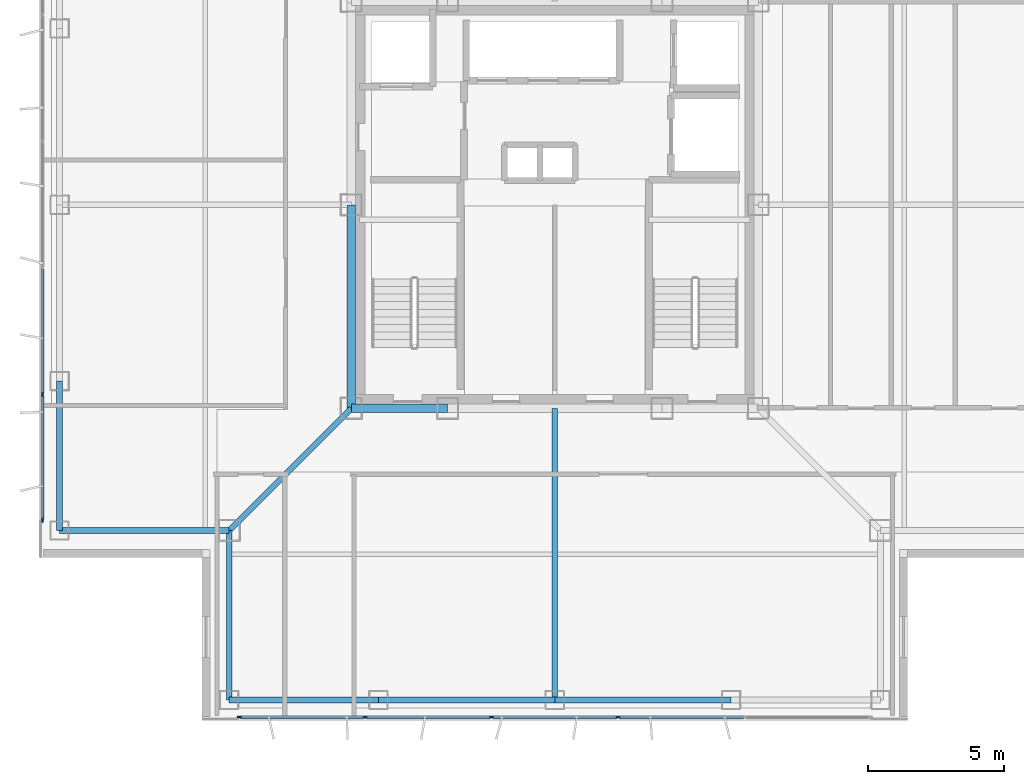
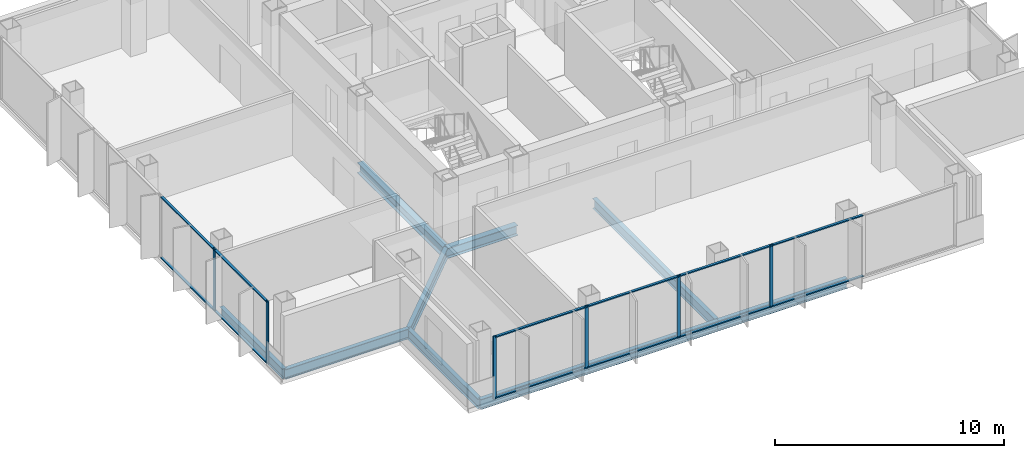
# One storey, part 2 of 15: 18 members, 10 beams, 2 elements without a shape of their own.
"""IFC4 building model written with IfcOpenShell, lengths in metres."""

from ifc_helpers import new_model, si_unit, direction, frame, origin, origin_2d, place, context, subcontext, project, spatial, rectangle, i_section, extrude, material, layer, layer_set, material_profile, profile_set, type_object, element, aggregate, save


model = new_model("IFC4")

# Units and contexts
model_context = context("Model", 3, precision=1e-05, world=origin(), true_north=direction((0.0, 1.0)))
body_context = subcontext(model_context, "Body", "Model", "MODEL_VIEW")
ifc_project = project(units=[si_unit("LENGTHUNIT", "METRE"), si_unit("AREAUNIT", "SQUARE_METRE"), si_unit("VOLUMEUNIT", "CUBIC_METRE"), si_unit("PLANEANGLEUNIT", "RADIAN"), si_unit("MASSUNIT", "GRAM", prefix="KILO")], contexts=[model_context])

# Site, building, storey
site_placement = place(None, origin())
site = spatial("IfcSite", under=ifc_project, at=site_placement, CompositionType="ELEMENT")
building_placement = place(site_placement, origin())
building = spatial("IfcBuilding", under=site, at=building_placement, Name="Trevonay Congress Spire", CompositionType="ELEMENT")
storey_placement = place(building_placement, frame((0.0, 0.0, 261.199951171875)))
storey = spatial("IfcBuildingStorey", under=building, at=storey_placement, Name="L68", CompositionType="ELEMENT", Elevation=261.199951171875)

# Beams
ifc_material_1 = material(Name="Steel ASTM A572 Grade 50", Category="steel")
ifc_material_profile_1 = material_profile(ifc_material_1, i_section(OverallWidth=0.2119140625, OverallDepth=0.5439453125, WebThickness=0.01318359375, FlangeThickness=0.021240234375, FilletRadius=0.014892578125, at=origin_2d()), Name="W530x123")
ifc_profile_set_1 = profile_set([ifc_material_profile_1], Name="Steel ASTM A572 Grade 50")
beam_type_1 = type_object("IfcBeamType", Name="BM-GIRD-W530X123", PredefinedType="BEAM", material=ifc_profile_set_1)
beam_1_placement = place(storey_placement, frame((-7.5, -7.5, -0.511962890625), z_axis=(-0.707106781187, -0.707106781187, 0.0), x_axis=(0.707106781187, -0.707106781187, 0.0)))
element("IfcBeam", 1, at=beam_1_placement, inside=storey, type_object=beam_type_1, Name="L68 structural beam BM-L68-CDSW", PredefinedType="BEAM", context=body_context, shape_type="SweptSolid", body=[
    extrude(i_section(OverallWidth=0.2119140625, OverallDepth=0.5439453125, WebThickness=0.01318359375, FlangeThickness=0.021240234375, FilletRadius=0.014892578125, at=origin_2d()), origin(), (0.0, 0.0, 1.0), 6.364013671875),
])
beam_2_placement = place(storey_placement, frame((0.0, -7.5, -0.511962890625), z_axis=(0.0, -1.0, 0.0), x_axis=(1.0, 0.0, 0.0)))
element("IfcBeam", 2, at=beam_2_placement, inside=storey, type_object=beam_type_1, Name="L68 structural beam BM-L68-GC-S", PredefinedType="BEAM", context=body_context, shape_type="SweptSolid", body=[
    extrude(i_section(OverallWidth=0.2119140625, OverallDepth=0.5439453125, WebThickness=0.01318359375, FlangeThickness=0.021240234375, FilletRadius=0.014892578125, at=origin_2d()), origin(), (0.0, 0.0, 1.0), 10.75),
])
ifc_material_profile_2 = material_profile(ifc_material_1, i_section(OverallWidth=0.31201171875, OverallDepth=0.54296875, WebThickness=0.0126953125, FlangeThickness=0.020263671875, FilletRadius=0.014892578125, at=origin_2d()), Name="W530x150")
ifc_profile_set_2 = profile_set([ifc_material_profile_2], Name="Steel ASTM A572 Grade 50")
beam_type_2 = type_object("IfcBeamType", Name="BM-GIRD-W530X150", PredefinedType="BEAM", material=ifc_profile_set_2)
beam_3_placement = place(storey_placement, frame((-7.5, -7.5, -0.511474609375), z_axis=(1.0, 0.0, 0.0), x_axis=(0.0, 1.0, 0.0)))
element("IfcBeam", 3, at=beam_3_placement, inside=storey, type_object=beam_type_2, Name="L68 structural beam BM-L68-CR-S1", PredefinedType="BEAM", context=body_context, shape_type="SweptSolid", body=[
    extrude(i_section(OverallWidth=0.31201171875, OverallDepth=0.54296875, WebThickness=0.0126953125, FlangeThickness=0.020263671875, FilletRadius=0.014892578125, at=origin_2d()), origin(), (0.0, 0.0, 1.0), 3.550048828125),
])
beam_4_placement = place(storey_placement, frame((-7.5, -7.5, -0.511474609375), z_axis=(0.0, 1.0, 0.0), x_axis=(-1.0, 0.0, 0.0)))
element("IfcBeam", 4, at=beam_4_placement, inside=storey, type_object=beam_type_2, Name="L68 structural beam BM-L68-CR-W1", PredefinedType="BEAM", context=body_context, shape_type="SweptSolid", body=[
    extrude(i_section(OverallWidth=0.31201171875, OverallDepth=0.54296875, WebThickness=0.0126953125, FlangeThickness=0.020263671875, FilletRadius=0.014892578125, at=origin_2d()), origin(), (0.0, 0.0, 1.0), 7.5),
])
ifc_material_profile_3 = material_profile(ifc_material_1, i_section(OverallWidth=0.208984375, OverallDepth=0.532958984375, WebThickness=0.01025390625, FlangeThickness=0.015625, FilletRadius=0.014892578125, at=origin_2d()), Name="W530x92")
ifc_profile_set_3 = profile_set([ifc_material_profile_3], Name="Steel ASTM A572 Grade 50")
beam_type_3 = type_object("IfcBeamType", Name="BM-RING-W530X92", PredefinedType="BEAM", material=ifc_profile_set_3)
for number, where, z_axis, x_axis, name in (
    (5, (-12.0, -18.25, -0.50634765625), (1.0, 0.0, 0.0), (0.0, 1.0, 0.0), "L68 structural beam BM-L68-PS1"),
    (6, (-18.25, -12.0, -0.50634765625), (0.0, 1.0, 0.0), (-1.0, 0.0, 0.0), "L68 structural beam BM-L68-PW1"),
):
    element("IfcBeam", number, at=place(storey_placement, frame(where, z_axis=z_axis, x_axis=x_axis)), inside=storey, type_object=beam_type_3, Name=name, PredefinedType="BEAM", context=body_context, shape_type="SweptSolid", body=[
        extrude(i_section(OverallWidth=0.208984375, OverallDepth=0.532958984375, WebThickness=0.01025390625, FlangeThickness=0.015625, FilletRadius=0.014892578125, at=origin_2d()), origin(), (0.0, 0.0, 1.0), 5.5),
    ])
for number, where, z_axis, x_axis, name in (
    (7, (-6.5, -18.25, -0.50634765625), (1.0, 0.0, 0.0), (0.0, 1.0, 0.0), "L68 structural beam BM-L68-PS2"),
    (8, (0.0, -18.25, -0.50634765625), (1.0, 0.0, 0.0), (0.0, 1.0, 0.0), "L68 structural beam BM-L68-PS3"),
):
    element("IfcBeam", number, at=place(storey_placement, frame(where, z_axis=z_axis, x_axis=x_axis)), inside=storey, type_object=beam_type_3, Name=name, PredefinedType="BEAM", context=body_context, shape_type="SweptSolid", body=[
        extrude(i_section(OverallWidth=0.208984375, OverallDepth=0.532958984375, WebThickness=0.01025390625, FlangeThickness=0.015625, FilletRadius=0.014892578125, at=origin_2d()), origin(), (0.0, 0.0, 1.0), 6.5),
    ])
for number, where, z_axis, x_axis, name in (
    (9, (-12.0, -18.25, -0.50634765625), (0.0, 1.0, 0.0), (-1.0, 0.0, 0.0), "L68 structural beam BM-L68-N1SW"),
    (10, (-18.25, -12.0, -0.50634765625), (1.0, 0.0, 0.0), (0.0, 1.0, 0.0), "L68 structural beam BM-L68-N2SW"),
):
    element("IfcBeam", number, at=place(storey_placement, frame(where, z_axis=z_axis, x_axis=x_axis)), inside=storey, type_object=beam_type_3, Name=name, PredefinedType="BEAM", context=body_context, shape_type="SweptSolid", body=[
        extrude(i_section(OverallWidth=0.208984375, OverallDepth=0.532958984375, WebThickness=0.01025390625, FlangeThickness=0.015625, FilletRadius=0.014892578125, at=origin_2d()), origin(), (0.0, 0.0, 1.0), 6.25),
    ])

# Curtain wall, members
ifc_material_2 = material(Name="Pale Anodised Aluminium EN AW-6063-T6", Category="aluminium")
ifc_layer = layer(ifc_material_2, 0.1650390625, Name="Pale Anodised Aluminium EN AW-6063-T6")
ifc_layer_set = layer_set([ifc_layer], Name="Pale Anodised Aluminium EN AW-6063-T6")
curtain_wall_type = type_object("IfcCurtainWallType", Name="CW-SYS05-DIPLOM-PALE-METAL", PredefinedType="NOTDEFINED", material=ifc_layer_set)
curtain_wall_1_placement = place(storey_placement, origin())
curtain_wall_1 = element("IfcCurtainWall", 11, at=curtain_wall_1_placement, inside=storey, type_object=curtain_wall_type, Name="L68 S unitised curtain wall", PredefinedType="NOTDEFINED")
ifc_material_profile_4 = material_profile(ifc_material_2, rectangle(XDim=0.06005859375, YDim=0.159912109375, at=origin_2d()), Name="CW-MULLION-160-ALUMINIUM")
ifc_profile_set_4 = profile_set([ifc_material_profile_4], Name="Pale Anodised Aluminium EN AW-6063-T6")
member_type_1 = type_object("IfcMemberType", Name="CW-MULLION-160-ALUMINIUM", PredefinedType="MULLION", material=ifc_profile_set_4)
member_1_placement = place(storey_placement, frame((-11.6201171875, -18.8798828125, 0.0), z_axis=(0.0, 0.0, 1.0), x_axis=(0.0, 1.0, 0.0)))
member_1 = element("IfcMember", 12, at=member_1_placement, type_object=member_type_1, Name="CW05 mullion 1", PredefinedType="MULLION", context=body_context, shape_type="SweptSolid", body=[
    extrude(rectangle(XDim=0.06005859375, YDim=0.159912109375, at=origin_2d()), origin(), (0.0, 0.0, 1.0), 3.360107421875),
])
member_2_placement = place(storey_placement, frame((-6.989990234375, -18.8798828125, 0.0), z_axis=(0.0, 0.0, 1.0), x_axis=(0.0, 1.0, 0.0)))
member_2 = element("IfcMember", 13, at=member_2_placement, type_object=member_type_1, Name="CW05 mullion 2", PredefinedType="MULLION", context=body_context, shape_type="SweptSolid", body=[
    extrude(rectangle(XDim=0.06005859375, YDim=0.159912109375, at=origin_2d()), origin(), (0.0, 0.0, 1.0), 3.360107421875),
])
member_3_placement = place(storey_placement, frame((-2.330078125, -18.8798828125, 0.0), z_axis=(0.0, 0.0, 1.0), x_axis=(0.0, 1.0, 0.0)))
member_3 = element("IfcMember", 14, at=member_3_placement, type_object=member_type_1, Name="CW05 mullion 3", PredefinedType="MULLION", context=body_context, shape_type="SweptSolid", body=[
    extrude(rectangle(XDim=0.06005859375, YDim=0.159912109375, at=origin_2d()), origin(), (0.0, 0.0, 1.0), 3.360107421875),
])
member_4_placement = place(storey_placement, frame((2.330078125, -18.8798828125, 0.0), z_axis=(0.0, 0.0, 1.0), x_axis=(0.0, 1.0, 0.0)))
member_4 = element("IfcMember", 15, at=member_4_placement, type_object=member_type_1, Name="CW05 mullion 4", PredefinedType="MULLION", context=body_context, shape_type="SweptSolid", body=[
    extrude(rectangle(XDim=0.06005859375, YDim=0.159912109375, at=origin_2d()), origin(), (0.0, 0.0, 1.0), 3.360107421875),
])

curtain_wall_2_placement = place(storey_placement, origin())
curtain_wall_2 = element("IfcCurtainWall", 16, at=curtain_wall_2_placement, inside=storey, type_object=curtain_wall_type, Name="L68 W unitised curtain wall", PredefinedType="NOTDEFINED")
member_5_placement = place(storey_placement, frame((-18.8798828125, -11.6201171875, 0.0), z_axis=(0.0, 0.0, 1.0), x_axis=(-1.0, 0.0, 0.0)))
member_5 = element("IfcMember", 17, at=member_5_placement, type_object=member_type_1, Name="CW05 mullion 1", PredefinedType="MULLION", context=body_context, shape_type="SweptSolid", body=[
    extrude(rectangle(XDim=0.06005859375, YDim=0.159912109375, at=origin_2d()), origin(), (0.0, 0.0, 1.0), 3.360107421875),
])
member_6_placement = place(storey_placement, frame((-18.8798828125, -6.989990234375, 0.0), z_axis=(0.0, 0.0, 1.0), x_axis=(-1.0, 0.0, 0.0)))
member_6 = element("IfcMember", 18, at=member_6_placement, type_object=member_type_1, Name="CW05 mullion 2", PredefinedType="MULLION", context=body_context, shape_type="SweptSolid", body=[
    extrude(rectangle(XDim=0.06005859375, YDim=0.159912109375, at=origin_2d()), origin(), (0.0, 0.0, 1.0), 3.360107421875),
])

# Member
ifc_material_profile_5 = material_profile(ifc_material_2, rectangle(XDim=0.1201171875, YDim=0.06005859375, at=origin_2d()), Name="CW-TRANSOM-120-ALUMINIUM")
ifc_profile_set_5 = profile_set([ifc_material_profile_5], Name="Pale Anodised Aluminium EN AW-6063-T6")
member_type_2 = type_object("IfcMemberType", Name="CW-TRANSOM-120-ALUMINIUM", PredefinedType="USERDEFINED", material=ifc_profile_set_5)
member_7_placement = place(storey_placement, frame((-11.590087890625, -18.8798828125, 0.06005859375), z_axis=(1.0, 0.0, 0.0), x_axis=(0.0, 1.0, 0.0)))
member_7 = element("IfcMember", 19, at=member_7_placement, type_object=member_type_2, Name="CW05 transom 1.1", ObjectType="TRANSOM", PredefinedType="USERDEFINED", context=body_context, shape_type="SweptSolid", body=[
    extrude(rectangle(XDim=0.1201171875, YDim=0.06005859375, at=origin_2d()), origin(), (0.0, 0.0, 1.0), 4.570068359375),
])

member_8_placement = place(storey_placement, frame((-11.590087890625, -18.8798828125, 3.300048828125), z_axis=(1.0, 0.0, 0.0), x_axis=(0.0, 1.0, 0.0)))
member_8 = element("IfcMember", 20, at=member_8_placement, type_object=member_type_2, Name="CW05 transom 1.2", ObjectType="TRANSOM", PredefinedType="USERDEFINED", context=body_context, shape_type="SweptSolid", body=[
    extrude(rectangle(XDim=0.1201171875, YDim=0.06005859375, at=origin_2d()), origin(), (0.0, 0.0, 1.0), 4.570068359375),
])

member_9_placement = place(storey_placement, frame((-6.9599609375, -18.8798828125, 0.06005859375), z_axis=(1.0, 0.0, 0.0), x_axis=(0.0, 1.0, 0.0)))
member_9 = element("IfcMember", 21, at=member_9_placement, type_object=member_type_2, Name="CW05 transom 2.1", ObjectType="TRANSOM", PredefinedType="USERDEFINED", context=body_context, shape_type="SweptSolid", body=[
    extrude(rectangle(XDim=0.1201171875, YDim=0.06005859375, at=origin_2d()), origin(), (0.0, 0.0, 1.0), 4.599853515625),
])

member_10_placement = place(storey_placement, frame((-6.9599609375, -18.8798828125, 3.300048828125), z_axis=(1.0, 0.0, 0.0), x_axis=(0.0, 1.0, 0.0)))
member_10 = element("IfcMember", 22, at=member_10_placement, type_object=member_type_2, Name="CW05 transom 2.2", ObjectType="TRANSOM", PredefinedType="USERDEFINED", context=body_context, shape_type="SweptSolid", body=[
    extrude(rectangle(XDim=0.1201171875, YDim=0.06005859375, at=origin_2d()), origin(), (0.0, 0.0, 1.0), 4.599853515625),
])

member_11_placement = place(storey_placement, frame((-2.300048828125, -18.8798828125, 0.06005859375), z_axis=(1.0, 0.0, 0.0), x_axis=(0.0, 1.0, 0.0)))
member_11 = element("IfcMember", 23, at=member_11_placement, type_object=member_type_2, Name="CW05 transom 3.1", ObjectType="TRANSOM", PredefinedType="USERDEFINED", context=body_context, shape_type="SweptSolid", body=[
    extrude(rectangle(XDim=0.1201171875, YDim=0.06005859375, at=origin_2d()), origin(), (0.0, 0.0, 1.0), 4.60009765625),
])

member_12_placement = place(storey_placement, frame((-2.300048828125, -18.8798828125, 3.300048828125), z_axis=(1.0, 0.0, 0.0), x_axis=(0.0, 1.0, 0.0)))
member_12 = element("IfcMember", 24, at=member_12_placement, type_object=member_type_2, Name="CW05 transom 3.2", ObjectType="TRANSOM", PredefinedType="USERDEFINED", context=body_context, shape_type="SweptSolid", body=[
    extrude(rectangle(XDim=0.1201171875, YDim=0.06005859375, at=origin_2d()), origin(), (0.0, 0.0, 1.0), 4.60009765625),
])

member_13_placement = place(storey_placement, frame((2.360107421875, -18.8798828125, 0.06005859375), z_axis=(1.0, 0.0, 0.0), x_axis=(0.0, 1.0, 0.0)))
member_13 = element("IfcMember", 25, at=member_13_placement, type_object=member_type_2, Name="CW05 transom 4.1", ObjectType="TRANSOM", PredefinedType="USERDEFINED", context=body_context, shape_type="SweptSolid", body=[
    extrude(rectangle(XDim=0.1201171875, YDim=0.06005859375, at=origin_2d()), origin(), (0.0, 0.0, 1.0), 4.599853515625),
])

member_14_placement = place(storey_placement, frame((2.360107421875, -18.8798828125, 3.300048828125), z_axis=(1.0, 0.0, 0.0), x_axis=(0.0, 1.0, 0.0)))
member_14 = element("IfcMember", 26, at=member_14_placement, type_object=member_type_2, Name="CW05 transom 4.2", ObjectType="TRANSOM", PredefinedType="USERDEFINED", context=body_context, shape_type="SweptSolid", body=[
    extrude(rectangle(XDim=0.1201171875, YDim=0.06005859375, at=origin_2d()), origin(), (0.0, 0.0, 1.0), 4.599853515625),
])

aggregate(curtain_wall_1, [member_1, member_2, member_3, member_4, member_7, member_8, member_9, member_10, member_11, member_12, member_13, member_14])

member_15_placement = place(storey_placement, frame((-18.8798828125, -11.590087890625, 0.06005859375), z_axis=(0.0, 1.0, 0.0), x_axis=(-1.0, 0.0, 0.0)))
member_15 = element("IfcMember", 27, at=member_15_placement, type_object=member_type_2, Name="CW05 transom 1.1", ObjectType="TRANSOM", PredefinedType="USERDEFINED", context=body_context, shape_type="SweptSolid", body=[
    extrude(rectangle(XDim=0.1201171875, YDim=0.06005859375, at=origin_2d()), origin(), (0.0, 0.0, 1.0), 4.570068359375),
])

member_16_placement = place(storey_placement, frame((-18.8798828125, -11.590087890625, 3.300048828125), z_axis=(0.0, 1.0, 0.0), x_axis=(-1.0, 0.0, 0.0)))
member_16 = element("IfcMember", 28, at=member_16_placement, type_object=member_type_2, Name="CW05 transom 1.2", ObjectType="TRANSOM", PredefinedType="USERDEFINED", context=body_context, shape_type="SweptSolid", body=[
    extrude(rectangle(XDim=0.1201171875, YDim=0.06005859375, at=origin_2d()), origin(), (0.0, 0.0, 1.0), 4.570068359375),
])

member_17_placement = place(storey_placement, frame((-18.8798828125, -6.9599609375, 0.06005859375), z_axis=(0.0, 1.0, 0.0), x_axis=(-1.0, 0.0, 0.0)))
member_17 = element("IfcMember", 29, at=member_17_placement, type_object=member_type_2, Name="CW05 transom 2.1", ObjectType="TRANSOM", PredefinedType="USERDEFINED", context=body_context, shape_type="SweptSolid", body=[
    extrude(rectangle(XDim=0.1201171875, YDim=0.06005859375, at=origin_2d()), origin(), (0.0, 0.0, 1.0), 4.599853515625),
])

member_18_placement = place(storey_placement, frame((-18.8798828125, -6.9599609375, 3.300048828125), z_axis=(0.0, 1.0, 0.0), x_axis=(-1.0, 0.0, 0.0)))
member_18 = element("IfcMember", 30, at=member_18_placement, type_object=member_type_2, Name="CW05 transom 2.2", ObjectType="TRANSOM", PredefinedType="USERDEFINED", context=body_context, shape_type="SweptSolid", body=[
    extrude(rectangle(XDim=0.1201171875, YDim=0.06005859375, at=origin_2d()), origin(), (0.0, 0.0, 1.0), 4.599853515625),
])

aggregate(curtain_wall_2, [member_5, member_6, member_15, member_16, member_17, member_18])

save(model, "model.ifc")
